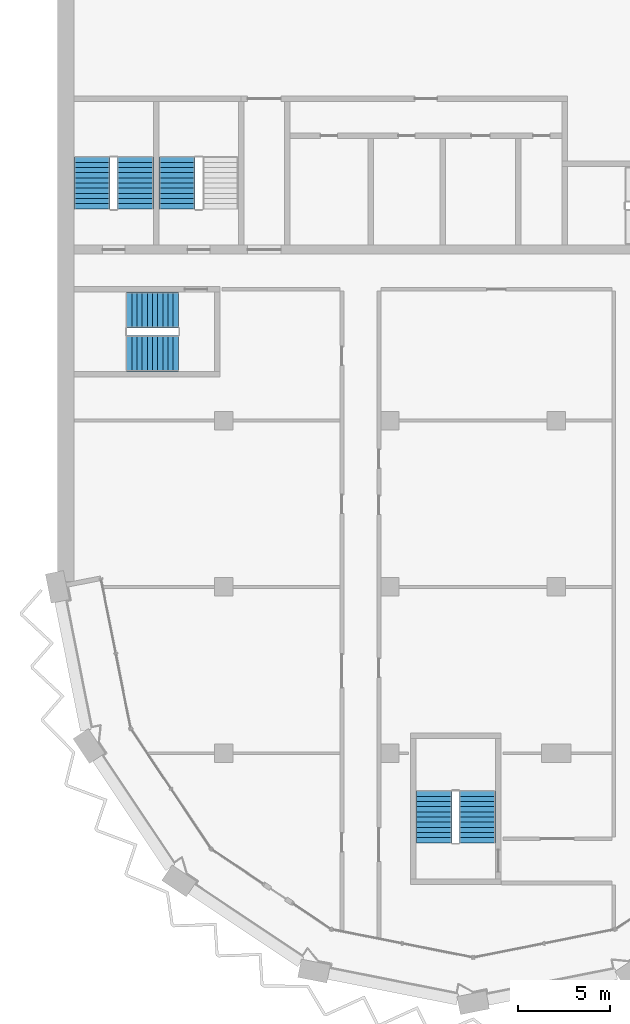
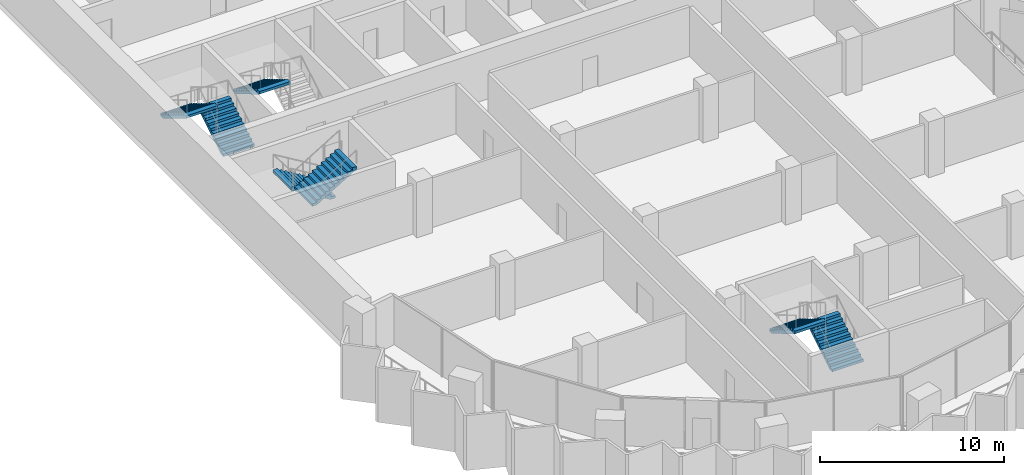
# One storey, part 11 of 16: 7 stair flights, 4 elements without a shape of their own.
"""IFC4 building model written with IfcOpenShell, lengths in metres."""

from ifc_helpers import new_model, si_unit, direction, frame, origin, place, context, subcontext, project, spatial, polyline, outline, extrude, material, type_object, element, aggregate, save


model = new_model("IFC4")

# Units and contexts
model_context = context("Model", 3, precision=1e-05, world=origin(), true_north=direction((0.0, 1.0)))
body_context = subcontext(model_context, "Body", "Model", "MODEL_VIEW")
ifc_project = project(units=[si_unit("LENGTHUNIT", "METRE"), si_unit("AREAUNIT", "SQUARE_METRE"), si_unit("VOLUMEUNIT", "CUBIC_METRE"), si_unit("PLANEANGLEUNIT", "RADIAN"), si_unit("MASSUNIT", "GRAM", prefix="KILO")], contexts=[model_context])

# Site, building, storey
site_placement = place(None, origin())
site = spatial("IfcSite", under=ifc_project, at=site_placement, CompositionType="ELEMENT")
building_placement = place(site_placement, origin())
building = spatial("IfcBuilding", under=site, at=building_placement, Name="Hunhe Ridgeline Campus", CompositionType="ELEMENT")
storey_placement = place(building_placement, frame((0.0, 0.0, 242.89990234375)))
storey = spatial("IfcBuildingStorey", under=building, at=storey_placement, Name="L62", CompositionType="ELEMENT", Elevation=242.89990234375)

# Stair, stair flights
ifc_material = material(Name="Concrete C40", Category="concrete")
stair_type = type_object("IfcStairType", Name="Reinforced concrete dog-leg stair 1950 Concrete C40", PredefinedType="HALF_TURN_STAIR", material=ifc_material)
stair_1_placement = place(storey_placement, origin())
stair_1 = element("IfcStair", 1, at=stair_1_placement, inside=storey, type_object=stair_type, Name="L62 S3", PredefinedType="HALF_TURN_STAIR")
stair_flight_type = type_object("IfcStairFlightType", Name="Reinforced concrete stair flight 1950 Concrete C40", PredefinedType="STRAIGHT", material=ifc_material)
stair_flight_1_placement = place(storey_placement, frame((4.22509765625, 65.449951171875, 0.0), z_axis=(0.0, 0.0, 1.0), x_axis=(0.0, 1.0, 0.0)))
stair_flight_1 = element("IfcStairFlight", 2, at=stair_flight_1_placement, type_object=stair_flight_type, Name="ST3 flight 1", NumberOfRisers=11, NumberOfTreads=10, PredefinedType="STRAIGHT", RiserHeight=0.168181818, TreadLength=0.28, context=body_context, shape_type="SweptSolid", body=[
    extrude(outline(polyline([(0.0, 0.0), (0.0, 0.168212890625), (0.280029296875, 0.168212890625), (0.280029296875, 0.33642578125), (0.56005859375, 0.33642578125), (0.56005859375, 0.504638671875), (0.840087890625, 0.504638671875), (0.840087890625, 0.672607421875), (1.1201171875, 0.672607421875), (1.1201171875, 0.8408203125), (1.39990234375, 0.8408203125), (1.39990234375, 1.009033203125), (1.679931640625, 1.009033203125), (1.679931640625, 1.17724609375), (1.9599609375, 1.17724609375), (1.9599609375, 1.345458984375), (2.239990234375, 1.345458984375), (2.239990234375, 1.513671875), (2.52001953125, 1.513671875), (2.52001953125, 1.681884765625), (2.800048828125, 1.681884765625), (2.800048828125, 1.85009765625), (2.800048828125, 1.5068359375), (0.291015625, 0.0), (0.0, 0.0)])), frame((0.0, 0.97509765625, 0.0), z_axis=(0.0, -1.0, 0.0), x_axis=(1.0, 0.0, 0.0)), (0.0, 0.0, 1.0), 1.949951171875),
    extrude(outline(polyline([(0.030029296875, 0.030029296875), (0.030029296875, 0.13818359375), (0.31005859375, 0.13818359375), (0.31005859375, 0.306396484375), (0.590087890625, 0.306396484375), (0.590087890625, 0.474609375), (0.8701171875, 0.474609375), (0.8701171875, 0.642578125), (1.14990234375, 0.642578125), (1.14990234375, 0.810791015625), (1.429931640625, 0.810791015625), (1.429931640625, 0.97900390625), (1.7099609375, 0.97900390625), (1.7099609375, 1.147216796875), (1.989990234375, 1.147216796875), (1.989990234375, 1.3154296875), (2.27001953125, 1.3154296875), (2.27001953125, 1.483642578125), (2.550048828125, 1.483642578125), (2.550048828125, 1.65185546875), (2.77001953125, 1.65185546875), (2.77001953125, 1.52392578125), (0.28271484375, 0.030029296875), (0.030029296875, 0.030029296875)])), frame((0.0, -0.070068359375, 0.0), z_axis=(0.0, -1.0, 0.0), x_axis=(1.0, 0.0, 0.0)), (0.0, 0.0, 1.0), 0.019775390625),
    extrude(outline(polyline([(0.030029296875, 0.030029296875), (0.030029296875, 0.13818359375), (0.31005859375, 0.13818359375), (0.31005859375, 0.306396484375), (0.590087890625, 0.306396484375), (0.590087890625, 0.474609375), (0.8701171875, 0.474609375), (0.8701171875, 0.642578125), (1.14990234375, 0.642578125), (1.14990234375, 0.810791015625), (1.429931640625, 0.810791015625), (1.429931640625, 0.97900390625), (1.7099609375, 0.97900390625), (1.7099609375, 1.147216796875), (1.989990234375, 1.147216796875), (1.989990234375, 1.3154296875), (2.27001953125, 1.3154296875), (2.27001953125, 1.483642578125), (2.550048828125, 1.483642578125), (2.550048828125, 1.65185546875), (2.77001953125, 1.65185546875), (2.77001953125, 1.52392578125), (0.28271484375, 0.030029296875), (0.030029296875, 0.030029296875)])), frame((0.0, 0.010009765625, 0.0), z_axis=(0.0, -1.0, 0.0), x_axis=(1.0, 0.0, 0.0)), (0.0, 0.0, 1.0), 0.019775390625),
    extrude(outline(polyline([(0.030029296875, 0.030029296875), (0.030029296875, 0.13818359375), (0.31005859375, 0.13818359375), (0.31005859375, 0.306396484375), (0.590087890625, 0.306396484375), (0.590087890625, 0.474609375), (0.8701171875, 0.474609375), (0.8701171875, 0.642578125), (1.14990234375, 0.642578125), (1.14990234375, 0.810791015625), (1.429931640625, 0.810791015625), (1.429931640625, 0.97900390625), (1.7099609375, 0.97900390625), (1.7099609375, 1.147216796875), (1.989990234375, 1.147216796875), (1.989990234375, 1.3154296875), (2.27001953125, 1.3154296875), (2.27001953125, 1.483642578125), (2.550048828125, 1.483642578125), (2.550048828125, 1.65185546875), (2.77001953125, 1.65185546875), (2.77001953125, 1.52392578125), (0.28271484375, 0.030029296875), (0.030029296875, 0.030029296875)])), frame((0.0, 0.090087890625, 0.0), z_axis=(0.0, -1.0, 0.0), x_axis=(1.0, 0.0, 0.0)), (0.0, 0.0, 1.0), 0.019775390625),
])
stair_flight_2_placement = place(storey_placement, frame((1.875, 68.25, 1.85009765625), z_axis=(0.0, 0.0, 1.0), x_axis=(0.0, -1.0, 0.0)))
stair_flight_2 = element("IfcStairFlight", 3, at=stair_flight_2_placement, type_object=stair_flight_type, Name="ST3 flight 2", NumberOfRisers=11, NumberOfTreads=10, PredefinedType="STRAIGHT", RiserHeight=0.168181818, TreadLength=0.28, context=body_context, shape_type="SweptSolid", body=[
    extrude(outline(polyline([(0.0, 0.0), (0.0, 0.168212890625), (0.280029296875, 0.168212890625), (0.280029296875, 0.33642578125), (0.56005859375, 0.33642578125), (0.56005859375, 0.504638671875), (0.840087890625, 0.504638671875), (0.840087890625, 0.672607421875), (1.1201171875, 0.672607421875), (1.1201171875, 0.8408203125), (1.39990234375, 0.8408203125), (1.39990234375, 1.009033203125), (1.679931640625, 1.009033203125), (1.679931640625, 1.17724609375), (1.9599609375, 1.17724609375), (1.9599609375, 1.345458984375), (2.239990234375, 1.345458984375), (2.239990234375, 1.513671875), (2.52001953125, 1.513671875), (2.52001953125, 1.681884765625), (2.800048828125, 1.681884765625), (2.800048828125, 1.85009765625), (2.800048828125, 1.5068359375), (0.291015625, 0.0), (0.0, 0.0)])), frame((0.0, 0.97509765625, 0.0), z_axis=(0.0, -1.0, 0.0), x_axis=(1.0, 0.0, 0.0)), (0.0, 0.0, 1.0), 1.949951171875),
    extrude(outline(polyline([(0.030029296875, 0.030029296875), (0.030029296875, 0.13818359375), (0.31005859375, 0.13818359375), (0.31005859375, 0.306396484375), (0.590087890625, 0.306396484375), (0.590087890625, 0.474609375), (0.8701171875, 0.474609375), (0.8701171875, 0.642578125), (1.14990234375, 0.642578125), (1.14990234375, 0.810791015625), (1.429931640625, 0.810791015625), (1.429931640625, 0.97900390625), (1.7099609375, 0.97900390625), (1.7099609375, 1.147216796875), (1.989990234375, 1.147216796875), (1.989990234375, 1.3154296875), (2.27001953125, 1.3154296875), (2.27001953125, 1.483642578125), (2.550048828125, 1.483642578125), (2.550048828125, 1.65185546875), (2.77001953125, 1.65185546875), (2.77001953125, 1.52392578125), (0.28271484375, 0.030029296875), (0.030029296875, 0.030029296875)])), frame((0.0, -0.070068359375, 0.0), z_axis=(0.0, -1.0, 0.0), x_axis=(1.0, 0.0, 0.0)), (0.0, 0.0, 1.0), 0.019775390625),
    extrude(outline(polyline([(0.030029296875, 0.030029296875), (0.030029296875, 0.13818359375), (0.31005859375, 0.13818359375), (0.31005859375, 0.306396484375), (0.590087890625, 0.306396484375), (0.590087890625, 0.474609375), (0.8701171875, 0.474609375), (0.8701171875, 0.642578125), (1.14990234375, 0.642578125), (1.14990234375, 0.810791015625), (1.429931640625, 0.810791015625), (1.429931640625, 0.97900390625), (1.7099609375, 0.97900390625), (1.7099609375, 1.147216796875), (1.989990234375, 1.147216796875), (1.989990234375, 1.3154296875), (2.27001953125, 1.3154296875), (2.27001953125, 1.483642578125), (2.550048828125, 1.483642578125), (2.550048828125, 1.65185546875), (2.77001953125, 1.65185546875), (2.77001953125, 1.52392578125), (0.28271484375, 0.030029296875), (0.030029296875, 0.030029296875)])), frame((0.0, 0.010009765625, 0.0), z_axis=(0.0, -1.0, 0.0), x_axis=(1.0, 0.0, 0.0)), (0.0, 0.0, 1.0), 0.019775390625),
    extrude(outline(polyline([(0.030029296875, 0.030029296875), (0.030029296875, 0.13818359375), (0.31005859375, 0.13818359375), (0.31005859375, 0.306396484375), (0.590087890625, 0.306396484375), (0.590087890625, 0.474609375), (0.8701171875, 0.474609375), (0.8701171875, 0.642578125), (1.14990234375, 0.642578125), (1.14990234375, 0.810791015625), (1.429931640625, 0.810791015625), (1.429931640625, 0.97900390625), (1.7099609375, 0.97900390625), (1.7099609375, 1.147216796875), (1.989990234375, 1.147216796875), (1.989990234375, 1.3154296875), (2.27001953125, 1.3154296875), (2.27001953125, 1.483642578125), (2.550048828125, 1.483642578125), (2.550048828125, 1.65185546875), (2.77001953125, 1.65185546875), (2.77001953125, 1.52392578125), (0.28271484375, 0.030029296875), (0.030029296875, 0.030029296875)])), frame((0.0, 0.090087890625, 0.0), z_axis=(0.0, -1.0, 0.0), x_axis=(1.0, 0.0, 0.0)), (0.0, 0.0, 1.0), 0.019775390625),
])
aggregate(stair_1, [stair_flight_1, stair_flight_2])

# Stair, stair flight
stair_2_placement = place(storey_placement, origin())
stair_2 = element("IfcStair", 4, at=stair_2_placement, inside=storey, type_object=stair_type, Name="L62 S4", PredefinedType="HALF_TURN_STAIR")
stair_flight_3_placement = place(storey_placement, frame((6.47509765625, 68.25, 1.85009765625), z_axis=(0.0, 0.0, 1.0), x_axis=(0.0, -1.0, 0.0)))
stair_flight_3 = element("IfcStairFlight", 5, at=stair_flight_3_placement, type_object=stair_flight_type, Name="ST4 flight 2", NumberOfRisers=11, NumberOfTreads=10, PredefinedType="STRAIGHT", RiserHeight=0.168181818, TreadLength=0.28, context=body_context, shape_type="SweptSolid", body=[
    extrude(outline(polyline([(0.0, 0.0), (0.0, 0.168212890625), (0.280029296875, 0.168212890625), (0.280029296875, 0.33642578125), (0.56005859375, 0.33642578125), (0.56005859375, 0.504638671875), (0.840087890625, 0.504638671875), (0.840087890625, 0.672607421875), (1.1201171875, 0.672607421875), (1.1201171875, 0.8408203125), (1.39990234375, 0.8408203125), (1.39990234375, 1.009033203125), (1.679931640625, 1.009033203125), (1.679931640625, 1.17724609375), (1.9599609375, 1.17724609375), (1.9599609375, 1.345458984375), (2.239990234375, 1.345458984375), (2.239990234375, 1.513671875), (2.52001953125, 1.513671875), (2.52001953125, 1.681884765625), (2.800048828125, 1.681884765625), (2.800048828125, 1.85009765625), (2.800048828125, 1.5068359375), (0.291015625, 0.0), (0.0, 0.0)])), frame((0.0, 0.97509765625, 0.0), z_axis=(0.0, -1.0, 0.0), x_axis=(1.0, 0.0, 0.0)), (0.0, 0.0, 1.0), 1.949951171875),
    extrude(outline(polyline([(0.030029296875, 0.030029296875), (0.030029296875, 0.13818359375), (0.31005859375, 0.13818359375), (0.31005859375, 0.306396484375), (0.590087890625, 0.306396484375), (0.590087890625, 0.474609375), (0.8701171875, 0.474609375), (0.8701171875, 0.642578125), (1.14990234375, 0.642578125), (1.14990234375, 0.810791015625), (1.429931640625, 0.810791015625), (1.429931640625, 0.97900390625), (1.7099609375, 0.97900390625), (1.7099609375, 1.147216796875), (1.989990234375, 1.147216796875), (1.989990234375, 1.3154296875), (2.27001953125, 1.3154296875), (2.27001953125, 1.483642578125), (2.550048828125, 1.483642578125), (2.550048828125, 1.65185546875), (2.77001953125, 1.65185546875), (2.77001953125, 1.52392578125), (0.28271484375, 0.030029296875), (0.030029296875, 0.030029296875)])), frame((0.0, -0.070068359375, 0.0), z_axis=(0.0, -1.0, 0.0), x_axis=(1.0, 0.0, 0.0)), (0.0, 0.0, 1.0), 0.019775390625),
    extrude(outline(polyline([(0.030029296875, 0.030029296875), (0.030029296875, 0.13818359375), (0.31005859375, 0.13818359375), (0.31005859375, 0.306396484375), (0.590087890625, 0.306396484375), (0.590087890625, 0.474609375), (0.8701171875, 0.474609375), (0.8701171875, 0.642578125), (1.14990234375, 0.642578125), (1.14990234375, 0.810791015625), (1.429931640625, 0.810791015625), (1.429931640625, 0.97900390625), (1.7099609375, 0.97900390625), (1.7099609375, 1.147216796875), (1.989990234375, 1.147216796875), (1.989990234375, 1.3154296875), (2.27001953125, 1.3154296875), (2.27001953125, 1.483642578125), (2.550048828125, 1.483642578125), (2.550048828125, 1.65185546875), (2.77001953125, 1.65185546875), (2.77001953125, 1.52392578125), (0.28271484375, 0.030029296875), (0.030029296875, 0.030029296875)])), frame((0.0, 0.010009765625, 0.0), z_axis=(0.0, -1.0, 0.0), x_axis=(1.0, 0.0, 0.0)), (0.0, 0.0, 1.0), 0.019775390625),
    extrude(outline(polyline([(0.030029296875, 0.030029296875), (0.030029296875, 0.13818359375), (0.31005859375, 0.13818359375), (0.31005859375, 0.306396484375), (0.590087890625, 0.306396484375), (0.590087890625, 0.474609375), (0.8701171875, 0.474609375), (0.8701171875, 0.642578125), (1.14990234375, 0.642578125), (1.14990234375, 0.810791015625), (1.429931640625, 0.810791015625), (1.429931640625, 0.97900390625), (1.7099609375, 0.97900390625), (1.7099609375, 1.147216796875), (1.989990234375, 1.147216796875), (1.989990234375, 1.3154296875), (2.27001953125, 1.3154296875), (2.27001953125, 1.483642578125), (2.550048828125, 1.483642578125), (2.550048828125, 1.65185546875), (2.77001953125, 1.65185546875), (2.77001953125, 1.52392578125), (0.28271484375, 0.030029296875), (0.030029296875, 0.030029296875)])), frame((0.0, 0.090087890625, 0.0), z_axis=(0.0, -1.0, 0.0), x_axis=(1.0, 0.0, 0.0)), (0.0, 0.0, 1.0), 0.019775390625),
])
aggregate(stair_2, [stair_flight_3])

# Stair, stair flights
stair_3_placement = place(storey_placement, origin())
stair_3 = element("IfcStair", 6, at=stair_3_placement, inside=storey, type_object=stair_type, Name="L62 W3", PredefinedType="HALF_TURN_STAIR")
stair_flight_4_placement = place(storey_placement, frame((22.72509765625, 31.14990234375, 0.0), z_axis=(0.0, 0.0, 1.0), x_axis=(0.0, 1.0, 0.0)))
stair_flight_4 = element("IfcStairFlight", 7, at=stair_flight_4_placement, type_object=stair_flight_type, Name="ST9 flight 1", NumberOfRisers=11, NumberOfTreads=10, PredefinedType="STRAIGHT", RiserHeight=0.168181818, TreadLength=0.28, context=body_context, shape_type="SweptSolid", body=[
    extrude(outline(polyline([(0.0, 0.0), (0.0, 0.168212890625), (0.280029296875, 0.168212890625), (0.280029296875, 0.33642578125), (0.56005859375, 0.33642578125), (0.56005859375, 0.504638671875), (0.840087890625, 0.504638671875), (0.840087890625, 0.672607421875), (1.1201171875, 0.672607421875), (1.1201171875, 0.8408203125), (1.39990234375, 0.8408203125), (1.39990234375, 1.009033203125), (1.679931640625, 1.009033203125), (1.679931640625, 1.17724609375), (1.9599609375, 1.17724609375), (1.9599609375, 1.345458984375), (2.239990234375, 1.345458984375), (2.239990234375, 1.513671875), (2.52001953125, 1.513671875), (2.52001953125, 1.681884765625), (2.800048828125, 1.681884765625), (2.800048828125, 1.85009765625), (2.800048828125, 1.5068359375), (0.291015625, 0.0), (0.0, 0.0)])), frame((0.0, 0.97509765625, 0.0), z_axis=(0.0, -1.0, 0.0), x_axis=(1.0, 0.0, 0.0)), (0.0, 0.0, 1.0), 1.949951171875),
    extrude(outline(polyline([(0.030029296875, 0.030029296875), (0.030029296875, 0.13818359375), (0.31005859375, 0.13818359375), (0.31005859375, 0.306396484375), (0.590087890625, 0.306396484375), (0.590087890625, 0.474609375), (0.8701171875, 0.474609375), (0.8701171875, 0.642578125), (1.14990234375, 0.642578125), (1.14990234375, 0.810791015625), (1.429931640625, 0.810791015625), (1.429931640625, 0.97900390625), (1.7099609375, 0.97900390625), (1.7099609375, 1.147216796875), (1.989990234375, 1.147216796875), (1.989990234375, 1.3154296875), (2.27001953125, 1.3154296875), (2.27001953125, 1.483642578125), (2.550048828125, 1.483642578125), (2.550048828125, 1.65185546875), (2.77001953125, 1.65185546875), (2.77001953125, 1.52392578125), (0.28271484375, 0.030029296875), (0.030029296875, 0.030029296875)])), frame((0.0, -0.070068359375, 0.0), z_axis=(0.0, -1.0, 0.0), x_axis=(1.0, 0.0, 0.0)), (0.0, 0.0, 1.0), 0.019775390625),
    extrude(outline(polyline([(0.030029296875, 0.030029296875), (0.030029296875, 0.13818359375), (0.31005859375, 0.13818359375), (0.31005859375, 0.306396484375), (0.590087890625, 0.306396484375), (0.590087890625, 0.474609375), (0.8701171875, 0.474609375), (0.8701171875, 0.642578125), (1.14990234375, 0.642578125), (1.14990234375, 0.810791015625), (1.429931640625, 0.810791015625), (1.429931640625, 0.97900390625), (1.7099609375, 0.97900390625), (1.7099609375, 1.147216796875), (1.989990234375, 1.147216796875), (1.989990234375, 1.3154296875), (2.27001953125, 1.3154296875), (2.27001953125, 1.483642578125), (2.550048828125, 1.483642578125), (2.550048828125, 1.65185546875), (2.77001953125, 1.65185546875), (2.77001953125, 1.52392578125), (0.28271484375, 0.030029296875), (0.030029296875, 0.030029296875)])), frame((0.0, 0.010009765625, 0.0), z_axis=(0.0, -1.0, 0.0), x_axis=(1.0, 0.0, 0.0)), (0.0, 0.0, 1.0), 0.019775390625),
    extrude(outline(polyline([(0.030029296875, 0.030029296875), (0.030029296875, 0.13818359375), (0.31005859375, 0.13818359375), (0.31005859375, 0.306396484375), (0.590087890625, 0.306396484375), (0.590087890625, 0.474609375), (0.8701171875, 0.474609375), (0.8701171875, 0.642578125), (1.14990234375, 0.642578125), (1.14990234375, 0.810791015625), (1.429931640625, 0.810791015625), (1.429931640625, 0.97900390625), (1.7099609375, 0.97900390625), (1.7099609375, 1.147216796875), (1.989990234375, 1.147216796875), (1.989990234375, 1.3154296875), (2.27001953125, 1.3154296875), (2.27001953125, 1.483642578125), (2.550048828125, 1.483642578125), (2.550048828125, 1.65185546875), (2.77001953125, 1.65185546875), (2.77001953125, 1.52392578125), (0.28271484375, 0.030029296875), (0.030029296875, 0.030029296875)])), frame((0.0, 0.090087890625, 0.0), z_axis=(0.0, -1.0, 0.0), x_axis=(1.0, 0.0, 0.0)), (0.0, 0.0, 1.0), 0.019775390625),
])
stair_flight_5_placement = place(storey_placement, frame((20.375, 33.949951171875, 1.85009765625), z_axis=(0.0, 0.0, 1.0), x_axis=(0.0, -1.0, 0.0)))
stair_flight_5 = element("IfcStairFlight", 8, at=stair_flight_5_placement, type_object=stair_flight_type, Name="ST9 flight 2", NumberOfRisers=11, NumberOfTreads=10, PredefinedType="STRAIGHT", RiserHeight=0.168181818, TreadLength=0.28, context=body_context, shape_type="SweptSolid", body=[
    extrude(outline(polyline([(0.0, 0.0), (0.0, 0.168212890625), (0.280029296875, 0.168212890625), (0.280029296875, 0.33642578125), (0.56005859375, 0.33642578125), (0.56005859375, 0.504638671875), (0.840087890625, 0.504638671875), (0.840087890625, 0.672607421875), (1.1201171875, 0.672607421875), (1.1201171875, 0.8408203125), (1.39990234375, 0.8408203125), (1.39990234375, 1.009033203125), (1.679931640625, 1.009033203125), (1.679931640625, 1.17724609375), (1.9599609375, 1.17724609375), (1.9599609375, 1.345458984375), (2.239990234375, 1.345458984375), (2.239990234375, 1.513671875), (2.52001953125, 1.513671875), (2.52001953125, 1.681884765625), (2.800048828125, 1.681884765625), (2.800048828125, 1.85009765625), (2.800048828125, 1.5068359375), (0.291015625, 0.0), (0.0, 0.0)])), frame((0.0, 0.97509765625, 0.0), z_axis=(0.0, -1.0, 0.0), x_axis=(1.0, 0.0, 0.0)), (0.0, 0.0, 1.0), 1.949951171875),
    extrude(outline(polyline([(0.030029296875, 0.030029296875), (0.030029296875, 0.13818359375), (0.31005859375, 0.13818359375), (0.31005859375, 0.306396484375), (0.590087890625, 0.306396484375), (0.590087890625, 0.474609375), (0.8701171875, 0.474609375), (0.8701171875, 0.642578125), (1.14990234375, 0.642578125), (1.14990234375, 0.810791015625), (1.429931640625, 0.810791015625), (1.429931640625, 0.97900390625), (1.7099609375, 0.97900390625), (1.7099609375, 1.147216796875), (1.989990234375, 1.147216796875), (1.989990234375, 1.3154296875), (2.27001953125, 1.3154296875), (2.27001953125, 1.483642578125), (2.550048828125, 1.483642578125), (2.550048828125, 1.65185546875), (2.77001953125, 1.65185546875), (2.77001953125, 1.52392578125), (0.28271484375, 0.030029296875), (0.030029296875, 0.030029296875)])), frame((0.0, -0.070068359375, 0.0), z_axis=(0.0, -1.0, 0.0), x_axis=(1.0, 0.0, 0.0)), (0.0, 0.0, 1.0), 0.019775390625),
    extrude(outline(polyline([(0.030029296875, 0.030029296875), (0.030029296875, 0.13818359375), (0.31005859375, 0.13818359375), (0.31005859375, 0.306396484375), (0.590087890625, 0.306396484375), (0.590087890625, 0.474609375), (0.8701171875, 0.474609375), (0.8701171875, 0.642578125), (1.14990234375, 0.642578125), (1.14990234375, 0.810791015625), (1.429931640625, 0.810791015625), (1.429931640625, 0.97900390625), (1.7099609375, 0.97900390625), (1.7099609375, 1.147216796875), (1.989990234375, 1.147216796875), (1.989990234375, 1.3154296875), (2.27001953125, 1.3154296875), (2.27001953125, 1.483642578125), (2.550048828125, 1.483642578125), (2.550048828125, 1.65185546875), (2.77001953125, 1.65185546875), (2.77001953125, 1.52392578125), (0.28271484375, 0.030029296875), (0.030029296875, 0.030029296875)])), frame((0.0, 0.010009765625, 0.0), z_axis=(0.0, -1.0, 0.0), x_axis=(1.0, 0.0, 0.0)), (0.0, 0.0, 1.0), 0.019775390625),
    extrude(outline(polyline([(0.030029296875, 0.030029296875), (0.030029296875, 0.13818359375), (0.31005859375, 0.13818359375), (0.31005859375, 0.306396484375), (0.590087890625, 0.306396484375), (0.590087890625, 0.474609375), (0.8701171875, 0.474609375), (0.8701171875, 0.642578125), (1.14990234375, 0.642578125), (1.14990234375, 0.810791015625), (1.429931640625, 0.810791015625), (1.429931640625, 0.97900390625), (1.7099609375, 0.97900390625), (1.7099609375, 1.147216796875), (1.989990234375, 1.147216796875), (1.989990234375, 1.3154296875), (2.27001953125, 1.3154296875), (2.27001953125, 1.483642578125), (2.550048828125, 1.483642578125), (2.550048828125, 1.65185546875), (2.77001953125, 1.65185546875), (2.77001953125, 1.52392578125), (0.28271484375, 0.030029296875), (0.030029296875, 0.030029296875)])), frame((0.0, 0.090087890625, 0.0), z_axis=(0.0, -1.0, 0.0), x_axis=(1.0, 0.0, 0.0)), (0.0, 0.0, 1.0), 0.019775390625),
])
aggregate(stair_3, [stair_flight_4, stair_flight_5])

stair_4_placement = place(storey_placement, origin())
stair_4 = element("IfcStair", 9, at=stair_4_placement, inside=storey, type_object=stair_type, Name="L62 W2", PredefinedType="HALF_TURN_STAIR")
stair_flight_6_placement = place(storey_placement, frame((6.550048828125, 59.97509765625, 0.0), z_axis=(0.0, 0.0, 1.0), x_axis=(-1.0, 0.0, 0.0)))
stair_flight_6 = element("IfcStairFlight", 10, at=stair_flight_6_placement, type_object=stair_flight_type, Name="ST12 flight 1", NumberOfRisers=11, NumberOfTreads=10, PredefinedType="STRAIGHT", RiserHeight=0.168181818, TreadLength=0.28, context=body_context, shape_type="SweptSolid", body=[
    extrude(outline(polyline([(0.0, 0.0), (0.0, 0.168212890625), (0.280029296875, 0.168212890625), (0.280029296875, 0.33642578125), (0.56005859375, 0.33642578125), (0.56005859375, 0.504638671875), (0.840087890625, 0.504638671875), (0.840087890625, 0.672607421875), (1.1201171875, 0.672607421875), (1.1201171875, 0.8408203125), (1.39990234375, 0.8408203125), (1.39990234375, 1.009033203125), (1.679931640625, 1.009033203125), (1.679931640625, 1.17724609375), (1.9599609375, 1.17724609375), (1.9599609375, 1.345458984375), (2.239990234375, 1.345458984375), (2.239990234375, 1.513671875), (2.52001953125, 1.513671875), (2.52001953125, 1.681884765625), (2.800048828125, 1.681884765625), (2.800048828125, 1.85009765625), (2.800048828125, 1.5068359375), (0.291015625, 0.0), (0.0, 0.0)])), frame((0.0, 0.97509765625, 0.0), z_axis=(0.0, -1.0, 0.0), x_axis=(1.0, 0.0, 0.0)), (0.0, 0.0, 1.0), 1.949951171875),
    extrude(outline(polyline([(0.030029296875, 0.030029296875), (0.030029296875, 0.13818359375), (0.31005859375, 0.13818359375), (0.31005859375, 0.306396484375), (0.590087890625, 0.306396484375), (0.590087890625, 0.474609375), (0.8701171875, 0.474609375), (0.8701171875, 0.642578125), (1.14990234375, 0.642578125), (1.14990234375, 0.810791015625), (1.429931640625, 0.810791015625), (1.429931640625, 0.97900390625), (1.7099609375, 0.97900390625), (1.7099609375, 1.147216796875), (1.989990234375, 1.147216796875), (1.989990234375, 1.3154296875), (2.27001953125, 1.3154296875), (2.27001953125, 1.483642578125), (2.550048828125, 1.483642578125), (2.550048828125, 1.65185546875), (2.77001953125, 1.65185546875), (2.77001953125, 1.52392578125), (0.28271484375, 0.030029296875), (0.030029296875, 0.030029296875)])), frame((0.0, -0.070068359375, 0.0), z_axis=(0.0, -1.0, 0.0), x_axis=(1.0, 0.0, 0.0)), (0.0, 0.0, 1.0), 0.019775390625),
    extrude(outline(polyline([(0.030029296875, 0.030029296875), (0.030029296875, 0.13818359375), (0.31005859375, 0.13818359375), (0.31005859375, 0.306396484375), (0.590087890625, 0.306396484375), (0.590087890625, 0.474609375), (0.8701171875, 0.474609375), (0.8701171875, 0.642578125), (1.14990234375, 0.642578125), (1.14990234375, 0.810791015625), (1.429931640625, 0.810791015625), (1.429931640625, 0.97900390625), (1.7099609375, 0.97900390625), (1.7099609375, 1.147216796875), (1.989990234375, 1.147216796875), (1.989990234375, 1.3154296875), (2.27001953125, 1.3154296875), (2.27001953125, 1.483642578125), (2.550048828125, 1.483642578125), (2.550048828125, 1.65185546875), (2.77001953125, 1.65185546875), (2.77001953125, 1.52392578125), (0.28271484375, 0.030029296875), (0.030029296875, 0.030029296875)])), frame((0.0, 0.010009765625, 0.0), z_axis=(0.0, -1.0, 0.0), x_axis=(1.0, 0.0, 0.0)), (0.0, 0.0, 1.0), 0.019775390625),
    extrude(outline(polyline([(0.030029296875, 0.030029296875), (0.030029296875, 0.13818359375), (0.31005859375, 0.13818359375), (0.31005859375, 0.306396484375), (0.590087890625, 0.306396484375), (0.590087890625, 0.474609375), (0.8701171875, 0.474609375), (0.8701171875, 0.642578125), (1.14990234375, 0.642578125), (1.14990234375, 0.810791015625), (1.429931640625, 0.810791015625), (1.429931640625, 0.97900390625), (1.7099609375, 0.97900390625), (1.7099609375, 1.147216796875), (1.989990234375, 1.147216796875), (1.989990234375, 1.3154296875), (2.27001953125, 1.3154296875), (2.27001953125, 1.483642578125), (2.550048828125, 1.483642578125), (2.550048828125, 1.65185546875), (2.77001953125, 1.65185546875), (2.77001953125, 1.52392578125), (0.28271484375, 0.030029296875), (0.030029296875, 0.030029296875)])), frame((0.0, 0.090087890625, 0.0), z_axis=(0.0, -1.0, 0.0), x_axis=(1.0, 0.0, 0.0)), (0.0, 0.0, 1.0), 0.019775390625),
])
stair_flight_7_placement = place(storey_placement, frame((3.75, 57.625, 1.85009765625), z_axis=(0.0, 0.0, 1.0), x_axis=(1.0, 0.0, 0.0)))
stair_flight_7 = element("IfcStairFlight", 11, at=stair_flight_7_placement, type_object=stair_flight_type, Name="ST12 flight 2", NumberOfRisers=11, NumberOfTreads=10, PredefinedType="STRAIGHT", RiserHeight=0.168181818, TreadLength=0.28, context=body_context, shape_type="SweptSolid", body=[
    extrude(outline(polyline([(0.0, 0.0), (0.0, 0.168212890625), (0.280029296875, 0.168212890625), (0.280029296875, 0.33642578125), (0.56005859375, 0.33642578125), (0.56005859375, 0.504638671875), (0.840087890625, 0.504638671875), (0.840087890625, 0.672607421875), (1.1201171875, 0.672607421875), (1.1201171875, 0.8408203125), (1.39990234375, 0.8408203125), (1.39990234375, 1.009033203125), (1.679931640625, 1.009033203125), (1.679931640625, 1.17724609375), (1.9599609375, 1.17724609375), (1.9599609375, 1.345458984375), (2.239990234375, 1.345458984375), (2.239990234375, 1.513671875), (2.52001953125, 1.513671875), (2.52001953125, 1.681884765625), (2.800048828125, 1.681884765625), (2.800048828125, 1.85009765625), (2.800048828125, 1.5068359375), (0.291015625, 0.0), (0.0, 0.0)])), frame((0.0, 0.97509765625, 0.0), z_axis=(0.0, -1.0, 0.0), x_axis=(1.0, 0.0, 0.0)), (0.0, 0.0, 1.0), 1.949951171875),
    extrude(outline(polyline([(0.030029296875, 0.030029296875), (0.030029296875, 0.13818359375), (0.31005859375, 0.13818359375), (0.31005859375, 0.306396484375), (0.590087890625, 0.306396484375), (0.590087890625, 0.474609375), (0.8701171875, 0.474609375), (0.8701171875, 0.642578125), (1.14990234375, 0.642578125), (1.14990234375, 0.810791015625), (1.429931640625, 0.810791015625), (1.429931640625, 0.97900390625), (1.7099609375, 0.97900390625), (1.7099609375, 1.147216796875), (1.989990234375, 1.147216796875), (1.989990234375, 1.3154296875), (2.27001953125, 1.3154296875), (2.27001953125, 1.483642578125), (2.550048828125, 1.483642578125), (2.550048828125, 1.65185546875), (2.77001953125, 1.65185546875), (2.77001953125, 1.52392578125), (0.28271484375, 0.030029296875), (0.030029296875, 0.030029296875)])), frame((0.0, -0.070068359375, 0.0), z_axis=(0.0, -1.0, 0.0), x_axis=(1.0, 0.0, 0.0)), (0.0, 0.0, 1.0), 0.019775390625),
    extrude(outline(polyline([(0.030029296875, 0.030029296875), (0.030029296875, 0.13818359375), (0.31005859375, 0.13818359375), (0.31005859375, 0.306396484375), (0.590087890625, 0.306396484375), (0.590087890625, 0.474609375), (0.8701171875, 0.474609375), (0.8701171875, 0.642578125), (1.14990234375, 0.642578125), (1.14990234375, 0.810791015625), (1.429931640625, 0.810791015625), (1.429931640625, 0.97900390625), (1.7099609375, 0.97900390625), (1.7099609375, 1.147216796875), (1.989990234375, 1.147216796875), (1.989990234375, 1.3154296875), (2.27001953125, 1.3154296875), (2.27001953125, 1.483642578125), (2.550048828125, 1.483642578125), (2.550048828125, 1.65185546875), (2.77001953125, 1.65185546875), (2.77001953125, 1.52392578125), (0.28271484375, 0.030029296875), (0.030029296875, 0.030029296875)])), frame((0.0, 0.010009765625, 0.0), z_axis=(0.0, -1.0, 0.0), x_axis=(1.0, 0.0, 0.0)), (0.0, 0.0, 1.0), 0.019775390625),
    extrude(outline(polyline([(0.030029296875, 0.030029296875), (0.030029296875, 0.13818359375), (0.31005859375, 0.13818359375), (0.31005859375, 0.306396484375), (0.590087890625, 0.306396484375), (0.590087890625, 0.474609375), (0.8701171875, 0.474609375), (0.8701171875, 0.642578125), (1.14990234375, 0.642578125), (1.14990234375, 0.810791015625), (1.429931640625, 0.810791015625), (1.429931640625, 0.97900390625), (1.7099609375, 0.97900390625), (1.7099609375, 1.147216796875), (1.989990234375, 1.147216796875), (1.989990234375, 1.3154296875), (2.27001953125, 1.3154296875), (2.27001953125, 1.483642578125), (2.550048828125, 1.483642578125), (2.550048828125, 1.65185546875), (2.77001953125, 1.65185546875), (2.77001953125, 1.52392578125), (0.28271484375, 0.030029296875), (0.030029296875, 0.030029296875)])), frame((0.0, 0.090087890625, 0.0), z_axis=(0.0, -1.0, 0.0), x_axis=(1.0, 0.0, 0.0)), (0.0, 0.0, 1.0), 0.019775390625),
])
aggregate(stair_4, [stair_flight_6, stair_flight_7])

save(model, "model.ifc")
